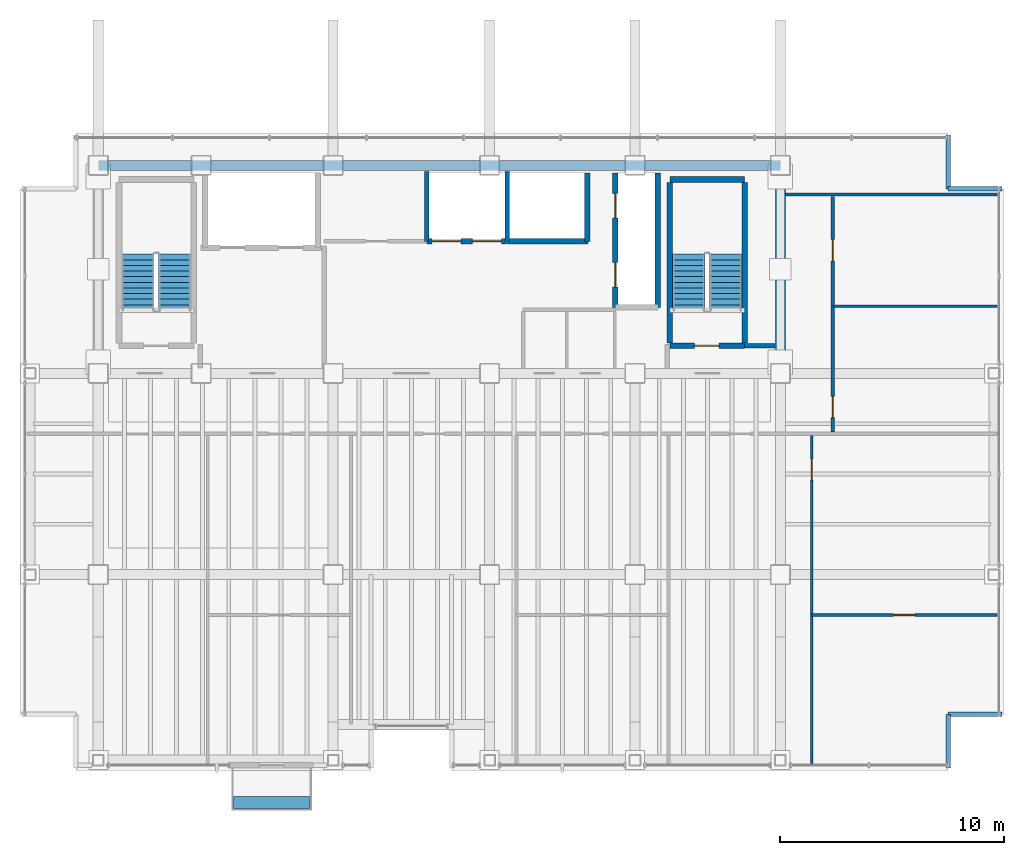
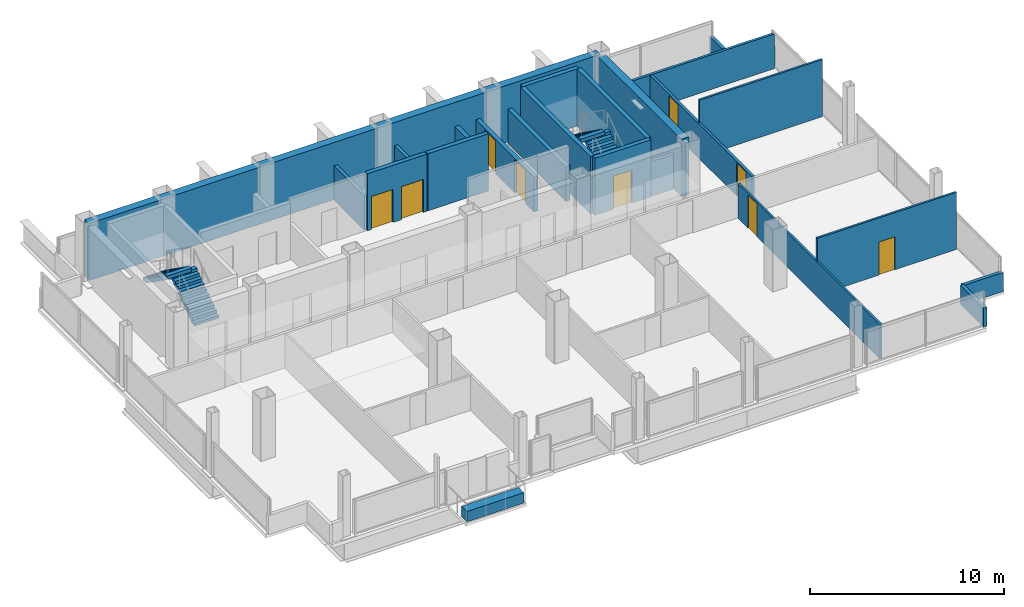
# One storey, part 16 of 17: 23 walls, 9 doors, 4 stair flights, 1 discrete accessory, 9 openings, 2 elements without a shape of their own.
"""IFC4 building model written with IfcOpenShell, lengths in metres."""

from ifc_helpers import new_model, si_unit, direction, frame, frame_2d, origin, origin_2d, place, context, subcontext, project, spatial, polyline, rectangle, outline, extrude, material, layer, layer_set, type_object, element, fill, aggregate, save


model = new_model("IFC4")

# Units and contexts
model_context = context("Model", 3, precision=1e-05, world=origin(), true_north=direction((0.0, 1.0)))
body_context = subcontext(model_context, "Body", "Model", "MODEL_VIEW")
ifc_project = project(units=[si_unit("LENGTHUNIT", "METRE"), si_unit("AREAUNIT", "SQUARE_METRE"), si_unit("VOLUMEUNIT", "CUBIC_METRE"), si_unit("PLANEANGLEUNIT", "RADIAN"), si_unit("MASSUNIT", "GRAM", prefix="KILO")], contexts=[model_context])

# Site, building, storey
site_placement = place(None, origin())
site = spatial("IfcSite", under=ifc_project, at=site_placement, CompositionType="ELEMENT")
building_placement = place(site_placement, origin())
building = spatial("IfcBuilding", under=site, at=building_placement, Name="Noeulbin Bourse Tower", CompositionType="ELEMENT")
storey_placement = place(building_placement, frame((0.0, 0.0, 196.800048828125)))
storey = spatial("IfcBuildingStorey", under=building, at=storey_placement, Name="L49", CompositionType="ELEMENT", Elevation=196.800048828125)

# Walls
ifc_material_1 = material(Name="Concrete C50/60", Category="concrete")
ifc_layer_1 = layer(ifc_material_1, 0.449951171875)
ifc_layer_set_1 = layer_set([ifc_layer_1], Name="Concrete C50/60")
wall_type_1 = type_object("IfcWallType", Name="WAL-CORE-450", PredefinedType="SHEAR", material=ifc_layer_set_1)
wall_1_placement = place(storey_placement, frame((13.5, 38.300048828125, 0.0), z_axis=(0.0, 0.0, 1.0), x_axis=(1.0, 0.0, 0.0)))
element("IfcWall", 1, at=wall_1_placement, inside=storey, type_object=wall_type_1, Name="Rear Core North Shear Wall L49", PredefinedType="SHEAR", context=body_context, shape_type="SweptSolid", body=[
    extrude(rectangle(XDim=30.5, YDim=0.449951171875, at=frame_2d((15.25, 0.0))), origin(), (0.0, 0.0, 1.0), 3.599853515625),
])
wall_2_placement = place(storey_placement, frame((44.0, 29.35009765625, 0.0), z_axis=(0.0, 0.0, 1.0), x_axis=(0.0, 1.0, 0.0)))
element("IfcWall", 2, at=wall_2_placement, inside=storey, type_object=wall_type_1, Name="Rear Core East Shear Wall L49", PredefinedType="SHEAR", context=body_context, shape_type="SweptSolid", body=[
    extrude(rectangle(XDim=8.599853515625, YDim=0.449951171875, at=frame_2d((4.2998046875, 0.0))), origin(), (0.0, 0.0, 1.0), 3.599853515625),
])
ifc_material_2 = material(Name="Concrete C40/50", Category="concrete")
ifc_layer_2 = layer(ifc_material_2, 0.199951171875)
ifc_layer_set_2 = layer_set([ifc_layer_2], Name="Concrete C40/50")
wall_type_2 = type_object("IfcWallType", Name="WAL-FIRE-200", PredefinedType="STANDARD", material=ifc_layer_set_2)
wall_3_placement = place(storey_placement, frame((42.39990234375, 30.239990234375, 0.0), z_axis=(0.0, 0.0, 1.0), x_axis=(1.0, 0.0, 0.0)))
element("IfcWall", 3, at=wall_3_placement, inside=storey, type_object=wall_type_2, Name="Interior Partition Wall L49-01", PredefinedType="STANDARD", context=body_context, shape_type="SweptSolid", body=[
    extrude(rectangle(XDim=1.364990234375, YDim=0.199951171875, at=frame_2d((0.6826171875, 0.0))), origin(), (0.0, 0.0, 1.0), 2.179931640625),
])
ifc_layer_3 = layer(ifc_material_2, 0.199951171875)
ifc_layer_set_3 = layer_set([ifc_layer_3], Name="Concrete C40/50")
wall_type_3 = type_object("IfcWallType", Name="WAL-PAR-200", PredefinedType="PARAPET", material=ifc_layer_set_3)
for number, where, z_axis, x_axis, name in (
    (4, (51.5, 11.35009765625, 0.0), (0.0, 0.0, 1.0), (0.0, 1.0, 0.0), "Corner Notch Parapet L49-SE1"),
    (5, (51.5, 13.75, 0.0), (0.0, 0.0, 1.0), (1.0, 0.0, 0.0), "Corner Notch Parapet L49-SE2"),
    (6, (51.5, 39.64990234375, 0.0), (0.0, 0.0, 1.0), (0.0, -1.0, 0.0), "Corner Notch Parapet L49-NE1"),
    (7, (51.5, 37.25, 0.0), (0.0, 0.0, 1.0), (1.0, 0.0, 0.0), "Corner Notch Parapet L49-NE2"),
):
    element("IfcWall", number, at=place(storey_placement, frame(where, z_axis=z_axis, x_axis=x_axis)), inside=storey, type_object=wall_type_3, Name=name, PredefinedType="PARAPET", context=body_context, shape_type="SweptSolid", body=[
        extrude(rectangle(XDim=2.39990234375, YDim=0.199951171875, at=frame_2d((1.199951171875, 0.0))), origin(), (0.0, 0.0, 1.0), 1.199951171875),
    ])

# Wall, opening, door
ifc_material_3 = material(Name="Steel Stud Gypsum Partition", Category="steel")
ifc_layer_4 = layer(ifc_material_3, 0.1201171875)
ifc_layer_set_4 = layer_set([ifc_layer_4], Name="Steel Stud Gypsum Partition")
wall_type_4 = type_object("IfcWallType", Name="WAL-PRT-120", PredefinedType="PARTITIONING", material=ifc_layer_set_4)
wall_4_placement = place(storey_placement, frame((45.39990234375, 18.193115234375, 0.0), z_axis=(0.0, 0.0, 1.0), x_axis=(1.0, 0.0, 0.0)))
wall_4 = element("IfcWall", 8, at=wall_4_placement, inside=storey, type_object=wall_type_4, Name="Interior Partition Wall L49-08", PredefinedType="PARTITIONING", context=body_context, shape_type="SweptSolid", body=[
    extrude(rectangle(XDim=8.2900390625, YDim=0.1201171875, at=frame_2d((4.14501953125, 0.0))), origin(), (0.0, 0.0, 1.0), 3.599853515625),
])
opening_1_placement = place(wall_4_placement, frame((3.669921875, 0.0, 0.0)))
opening_1 = element("IfcOpeningElement", 9, at=opening_1_placement, cuts=wall_4, Name="Opening ID-09", PredefinedType="OPENING", context=body_context, shape_type="SweptSolid", body=[
    extrude(rectangle(XDim=0.949951171875, YDim=2.080078125, at=frame_2d((0.47509765625, 1.0400390625))), frame((0.0, 0.070068359375, 0.0), z_axis=(0.0, -1.0, 0.0), x_axis=(1.0, 0.0, 0.0)), (0.0, 0.0, 1.0), 0.14013671875),
])
ifc_material_4 = material(Name="Acoustic Solid-Core Timber", Category="wood")
door_type_1 = type_object("IfcDoorType", Name="DR-SINGLE-950", OperationType="SINGLE_SWING_LEFT", PredefinedType="DOOR", material=ifc_material_4)
door_1_placement = place(opening_1_placement, origin())
door_1 = element("IfcDoor", 10, at=door_1_placement, inside=storey, type_object=door_type_1, Name="Interior Door L49-15", OperationType="SINGLE_SWING_LEFT", OverallHeight=2.080078125, OverallWidth=0.949951171875, PredefinedType="DOOR", context=body_context, shape_type="SweptSolid", body=[
    extrude(rectangle(XDim=0.949951171875, YDim=2.080078125, at=frame_2d((0.47509765625, 1.0400390625))), frame((0.0, 0.02490234375, 0.0), z_axis=(0.0, -1.0, 0.0), x_axis=(1.0, 0.0, 0.0)), (0.0, 0.0, 1.0), 0.050048828125),
])
fill(opening_1, door_1)

# Wall
wall_5_placement = place(storey_placement, frame((46.35009765625, 32.0, 0.0), z_axis=(0.0, 0.0, 1.0), x_axis=(1.0, 0.0, 0.0)))
element("IfcWall", 11, at=wall_5_placement, inside=storey, type_object=wall_type_4, Name="Interior Partition Wall L49-09", PredefinedType="PARTITIONING", context=body_context, shape_type="SweptSolid", body=[
    extrude(rectangle(XDim=7.33984375, YDim=0.1201171875, at=frame_2d((3.669921875, 0.0))), origin(), (0.0, 0.0, 1.0), 3.599853515625),
])

# Wall, opening, door
wall_6_placement = place(storey_placement, frame((45.39990234375, 11.56005859375, 0.0), z_axis=(0.0, 0.0, 1.0), x_axis=(0.0, 1.0, 0.0)))
wall_6 = element("IfcWall", 12, at=wall_6_placement, inside=storey, type_object=wall_type_4, Name="Interior Partition Wall L49-21", PredefinedType="PARTITIONING", context=body_context, shape_type="SweptSolid", body=[
    extrude(rectangle(XDim=14.655029296875, YDim=0.1201171875, at=frame_2d((7.32763671875, 0.0))), origin(), (0.0, 0.0, 1.0), 2.179931640625),
])
opening_2_placement = place(wall_6_placement, frame((12.6650390625, 0.0, 0.0)))
opening_2 = element("IfcOpeningElement", 13, at=opening_2_placement, cuts=wall_6, Name="Opening ID-09", PredefinedType="OPENING", context=body_context, shape_type="SweptSolid", body=[
    extrude(rectangle(XDim=0.949951171875, YDim=2.080078125, at=frame_2d((0.47509765625, 1.0400390625))), frame((0.0, 0.070068359375, 0.0), z_axis=(0.0, -1.0, 0.0), x_axis=(1.0, 0.0, 0.0)), (0.0, 0.0, 1.0), 0.14013671875),
])
door_2_placement = place(opening_2_placement, origin())
door_2 = element("IfcDoor", 14, at=door_2_placement, inside=storey, type_object=door_type_1, Name="Interior Door L49-16", OperationType="SINGLE_SWING_RIGHT", OverallHeight=2.080078125, OverallWidth=0.949951171875, PredefinedType="DOOR", context=body_context, shape_type="SweptSolid", body=[
    extrude(rectangle(XDim=0.949951171875, YDim=2.080078125, at=frame_2d((0.47509765625, 1.0400390625))), frame((0.0, 0.02490234375, 0.0), z_axis=(0.0, -1.0, 0.0), x_axis=(1.0, 0.0, 0.0)), (0.0, 0.0, 1.0), 0.050048828125),
])
fill(opening_2, door_2)

# Wall
ifc_material_5 = material(Name="Steel Stud Acoustic Gypsum Board", Category="steel")
ifc_layer_5 = layer(ifc_material_5, 0.14990234375)
ifc_layer_set_5 = layer_set([ifc_layer_5], Name="Steel Stud Acoustic Gypsum Board")
wall_type_5 = type_object("IfcWallType", Name="WAL-PRT-150", PredefinedType="PARTITIONING", material=ifc_layer_set_5)
wall_7_placement = place(storey_placement, frame((44.235107421875, 37.0, 0.0), z_axis=(0.0, 0.0, 1.0), x_axis=(1.0, 0.0, 0.0)))
element("IfcWall", 15, at=wall_7_placement, inside=storey, type_object=wall_type_5, Name="Interior Partition Wall L49-05", PredefinedType="PARTITIONING", context=body_context, shape_type="SweptSolid", body=[
    extrude(rectangle(XDim=9.454833984375, YDim=0.14990234375, at=frame_2d((4.7275390625, 0.0))), origin(), (0.0, 0.0, 1.0), 2.179931640625),
])

# Wall, openings, doors
wall_8_placement = place(storey_placement, frame((46.35009765625, 26.385009765625, 0.0), z_axis=(0.0, 0.0, 1.0), x_axis=(0.0, 1.0, 0.0)))
wall_8 = element("IfcWall", 16, at=wall_8_placement, inside=storey, type_object=wall_type_5, Name="Interior Partition Wall L49-16", PredefinedType="PARTITIONING", context=body_context, shape_type="SweptSolid", body=[
    extrude(rectangle(XDim=10.530029296875, YDim=0.14990234375, at=frame_2d((5.26513671875, 0.0))), origin(), (0.0, 0.0, 1.0), 2.179931640625),
])
opening_3_placement = place(wall_8_placement, frame((0.639892578125, 0.0, 0.0)))
opening_3 = element("IfcOpeningElement", 17, at=opening_3_placement, cuts=wall_8, Name="Opening ID-09", PredefinedType="OPENING", context=body_context, shape_type="SweptSolid", body=[
    extrude(rectangle(XDim=0.949951171875, YDim=2.080078125, at=frame_2d((0.47509765625, 1.0400390625))), frame((0.0, 0.0849609375, 0.0), z_axis=(0.0, -1.0, 0.0), x_axis=(1.0, 0.0, 0.0)), (0.0, 0.0, 1.0), 0.169921875),
])
opening_4_placement = place(wall_8_placement, frame((7.639892578125, 0.0, 0.0)))
opening_4 = element("IfcOpeningElement", 18, at=opening_4_placement, cuts=wall_8, Name="Opening ID-09", PredefinedType="OPENING", context=body_context, shape_type="SweptSolid", body=[
    extrude(rectangle(XDim=0.949951171875, YDim=2.080078125, at=frame_2d((0.47509765625, 1.0400390625))), frame((0.0, 0.0849609375, 0.0), z_axis=(0.0, -1.0, 0.0), x_axis=(1.0, 0.0, 0.0)), (0.0, 0.0, 1.0), 0.169921875),
])
door_3_placement = place(opening_3_placement, origin())
door_3 = element("IfcDoor", 19, at=door_3_placement, inside=storey, type_object=door_type_1, Name="Interior Door L49-17", OperationType="SINGLE_SWING_LEFT", OverallHeight=2.080078125, OverallWidth=0.949951171875, PredefinedType="DOOR", context=body_context, shape_type="SweptSolid", body=[
    extrude(rectangle(XDim=0.949951171875, YDim=2.080078125, at=frame_2d((0.47509765625, 1.0400390625))), frame((0.0, 0.02490234375, 0.0), z_axis=(0.0, -1.0, 0.0), x_axis=(1.0, 0.0, 0.0)), (0.0, 0.0, 1.0), 0.050048828125),
])
fill(opening_3, door_3)
door_4_placement = place(opening_4_placement, origin())
door_4 = element("IfcDoor", 20, at=door_4_placement, inside=storey, type_object=door_type_1, Name="Interior Door L49-18", OperationType="SINGLE_SWING_RIGHT", OverallHeight=2.080078125, OverallWidth=0.949951171875, PredefinedType="DOOR", context=body_context, shape_type="SweptSolid", body=[
    extrude(rectangle(XDim=0.949951171875, YDim=2.080078125, at=frame_2d((0.47509765625, 1.0400390625))), frame((0.0, 0.02490234375, 0.0), z_axis=(0.0, -1.0, 0.0), x_axis=(1.0, 0.0, 0.0)), (0.0, 0.0, 1.0), 0.050048828125),
])
fill(opening_4, door_4)

# Wall, opening, door
ifc_layer_6 = layer(ifc_material_2, 0.25)
ifc_layer_set_6 = layer_set([ifc_layer_6], Name="Concrete C40/50")
wall_type_6 = type_object("IfcWallType", Name="WAL-SHFT-250", PredefinedType="STANDARD", material=ifc_layer_set_6)
wall_9_placement = place(storey_placement, frame((39.06005859375, 30.235107421875, 0.0), z_axis=(0.0, 0.0, 1.0), x_axis=(1.0, 0.0, 0.0)))
wall_9 = element("IfcWall", 21, at=wall_9_placement, inside=storey, type_object=wall_type_6, Name="Stair ST-2 South Shaft Wall L49", PredefinedType="STANDARD", context=body_context, shape_type="SweptSolid", body=[
    extrude(rectangle(XDim=3.33984375, YDim=0.25, at=frame_2d((1.669921875, 0.0))), origin(), (0.0, 0.0, 1.0), 3.599853515625),
])
opening_5_placement = place(wall_9_placement, frame((1.10009765625, 0.0, 0.0)))
opening_5 = element("IfcOpeningElement", 22, at=opening_5_placement, cuts=wall_9, Name="Opening FD-11", PredefinedType="OPENING", context=body_context, shape_type="SweptSolid", body=[
    extrude(rectangle(XDim=1.10009765625, YDim=2.080078125, at=frame_2d((0.550048828125, 1.0400390625))), frame((0.0, 0.135009765625, 0.0), z_axis=(0.0, -1.0, 0.0), x_axis=(1.0, 0.0, 0.0)), (0.0, 0.0, 1.0), 0.27001953125),
])
ifc_material_6 = material(Name="Fire-Rated Insulated Steel", Category="steel")
door_type_2 = type_object("IfcDoorType", Name="DR-FD60-1100", OperationType="SINGLE_SWING_LEFT", PredefinedType="DOOR", material=ifc_material_6)
door_5_placement = place(opening_5_placement, origin())
door_5 = element("IfcDoor", 23, at=door_5_placement, inside=storey, type_object=door_type_2, Name="Protected Stair Entry Door ST2-L49", OperationType="SINGLE_SWING_RIGHT", OverallHeight=2.080078125, OverallWidth=1.10009765625, PredefinedType="DOOR", context=body_context, shape_type="SweptSolid", body=[
    extrude(rectangle(XDim=1.10009765625, YDim=2.080078125, at=frame_2d((0.550048828125, 1.0400390625))), frame((0.0, 0.02490234375, 0.0), z_axis=(0.0, -1.0, 0.0), x_axis=(1.0, 0.0, 0.0)), (0.0, 0.0, 1.0), 0.050048828125),
])
fill(opening_5, door_5)

# Walls
wall_10_placement = place(storey_placement, frame((39.06005859375, 37.6689453125, 0.0), z_axis=(0.0, 0.0, 1.0), x_axis=(1.0, 0.0, 0.0)))
element("IfcWall", 24, at=wall_10_placement, inside=storey, type_object=wall_type_6, Name="Stair ST-2 North Shaft Wall L49", PredefinedType="STANDARD", context=body_context, shape_type="SweptSolid", body=[
    extrude(rectangle(XDim=3.33984375, YDim=0.25, at=frame_2d((1.669921875, 0.0))), origin(), (0.0, 0.0, 1.0), 3.599853515625),
])
for number, where, z_axis, x_axis, name in (
    (25, (39.054931640625, 30.360107421875, 0.0), (0.0, 0.0, 1.0), (0.0, 1.0, 0.0), "Stair ST-2 West Shaft Wall L49"),
    (26, (42.405029296875, 30.360107421875, 0.0), (0.0, 0.0, 1.0), (0.0, 1.0, 0.0), "Stair ST-2 East Shaft Wall L49"),
):
    element("IfcWall", number, at=place(storey_placement, frame(where, z_axis=z_axis, x_axis=x_axis)), inside=storey, type_object=wall_type_6, Name=name, PredefinedType="STANDARD", context=body_context, shape_type="SweptSolid", body=[
        extrude(rectangle(XDim=7.183837890625, YDim=0.25, at=frame_2d((3.591796875, 0.0))), origin(), (0.0, 0.0, 1.0), 3.599853515625),
    ])

# Wall, openings, doors
wall_11_placement = place(storey_placement, frame((36.6201171875, 31.949951171875, 0.0), z_axis=(0.0, 0.0, 1.0), x_axis=(0.0, 1.0, 0.0)))
wall_11 = element("IfcWall", 27, at=wall_11_placement, inside=storey, type_object=wall_type_6, Name="Service Lift Shaft Wall L49", PredefinedType="STANDARD", context=body_context, shape_type="SweptSolid", body=[
    extrude(rectangle(XDim=6.0, YDim=0.25, at=frame_2d((3.0, 0.0))), origin(), (0.0, 0.0, 1.0), 2.179931640625),
])
opening_6_placement = place(wall_11_placement, frame((0.89990234375, 0.0, 0.0)))
opening_6 = element("IfcOpeningElement", 28, at=opening_6_placement, cuts=wall_11, Name="Opening LD-11", PredefinedType="OPENING", context=body_context, shape_type="SweptSolid", body=[
    extrude(rectangle(XDim=1.10009765625, YDim=2.080078125, at=frame_2d((0.550048828125, 1.0400390625))), frame((0.0, 0.135009765625, 0.0), z_axis=(0.0, -1.0, 0.0), x_axis=(1.0, 0.0, 0.0)), (0.0, 0.0, 1.0), 0.27001953125),
])
opening_7_placement = place(wall_11_placement, frame((4.0, 0.0, 0.0)))
opening_7 = element("IfcOpeningElement", 29, at=opening_7_placement, cuts=wall_11, Name="Opening LD-11", PredefinedType="OPENING", context=body_context, shape_type="SweptSolid", body=[
    extrude(rectangle(XDim=1.10009765625, YDim=2.080078125, at=frame_2d((0.550048828125, 1.0400390625))), frame((0.0, 0.135009765625, 0.0), z_axis=(0.0, -1.0, 0.0), x_axis=(1.0, 0.0, 0.0)), (0.0, 0.0, 1.0), 0.27001953125),
])
ifc_material_7 = material(Name="Brushed Stainless Steel 316", Category="steel")
door_type_3 = type_object("IfcDoorType", Name="DR-LIFT-1100", OperationType="SLIDING_TO_LEFT", PredefinedType="DOOR", material=ifc_material_7)
door_6_placement = place(opening_6_placement, origin())
door_6 = element("IfcDoor", 30, at=door_6_placement, inside=storey, type_object=door_type_3, Name="Lift Landing Door LD-EL-01-L49", OperationType="SLIDING_TO_LEFT", OverallHeight=2.080078125, OverallWidth=1.10009765625, PredefinedType="DOOR", context=body_context, shape_type="SweptSolid", body=[
    extrude(rectangle(XDim=1.10009765625, YDim=2.080078125, at=frame_2d((0.550048828125, 1.0400390625))), frame((0.0, 0.02490234375, 0.0), z_axis=(0.0, -1.0, 0.0), x_axis=(1.0, 0.0, 0.0)), (0.0, 0.0, 1.0), 0.050048828125),
])
fill(opening_6, door_6)
door_7_placement = place(opening_7_placement, origin())
door_7 = element("IfcDoor", 31, at=door_7_placement, inside=storey, type_object=door_type_3, Name="Lift Landing Door LD-SV-01-L49", OperationType="SLIDING_TO_LEFT", OverallHeight=2.080078125, OverallWidth=1.10009765625, PredefinedType="DOOR", context=body_context, shape_type="SweptSolid", body=[
    extrude(rectangle(XDim=1.10009765625, YDim=2.080078125, at=frame_2d((0.550048828125, 1.0400390625))), frame((0.0, 0.02490234375, 0.0), z_axis=(0.0, -1.0, 0.0), x_axis=(1.0, 0.0, 0.0)), (0.0, 0.0, 1.0), 0.050048828125),
])
fill(opening_7, door_7)

# Walls
wall_12_placement = place(storey_placement, frame((38.52001953125, 31.949951171875, 0.0), z_axis=(0.0, 0.0, 1.0), x_axis=(0.0, 1.0, 0.0)))
element("IfcWall", 32, at=wall_12_placement, inside=storey, type_object=wall_type_6, Name="Service Lift East Shaft Wall L49", PredefinedType="STANDARD", context=body_context, shape_type="SweptSolid", body=[
    extrude(rectangle(XDim=6.0, YDim=0.25, at=frame_2d((3.0, 0.0))), origin(), (0.0, 0.0, 1.0), 2.179931640625),
])
wall_13_placement = place(storey_placement, frame((35.360107421875, 34.89990234375, 0.0), z_axis=(0.0, 0.0, 1.0), x_axis=(0.0, 1.0, 0.0)))
element("IfcWall", 33, at=wall_13_placement, inside=storey, type_object=wall_type_6, Name="High-Rise Lift East Shaft Wall L49", PredefinedType="STANDARD", context=body_context, shape_type="SweptSolid", body=[
    extrude(rectangle(XDim=3.050048828125, YDim=0.25, at=frame_2d((1.52490234375, 0.0))), origin(), (0.0, 0.0, 1.0), 2.179931640625),
])

# Wall, openings, doors
wall_14_placement = place(storey_placement, frame((28.199951171875, 34.89990234375, 0.0), z_axis=(0.0, 0.0, 1.0), x_axis=(1.0, 0.0, 0.0)))
wall_14 = element("IfcWall", 34, at=wall_14_placement, inside=storey, type_object=wall_type_6, Name="Mid-Rise Lift Bank Front L49", PredefinedType="STANDARD", context=body_context, shape_type="SweptSolid", body=[
    extrude(rectangle(XDim=3.550048828125, YDim=0.25, at=frame_2d((1.77490234375, 0.0))), origin(), (0.0, 0.0, 1.0), 3.599853515625),
])
opening_8_placement = place(wall_14_placement, frame((0.22998046875, 0.0, 0.0)))
opening_8 = element("IfcOpeningElement", 35, at=opening_8_placement, cuts=wall_14, Name="Opening LD-13", PredefinedType="OPENING", context=body_context, shape_type="SweptSolid", body=[
    extrude(rectangle(XDim=1.300048828125, YDim=2.080078125, at=frame_2d((0.64990234375, 1.0400390625))), frame((0.0, 0.135009765625, 0.0), z_axis=(0.0, -1.0, 0.0), x_axis=(1.0, 0.0, 0.0)), (0.0, 0.0, 1.0), 0.27001953125),
])
opening_9_placement = place(wall_14_placement, frame((2.030029296875, 0.0, 0.0)))
opening_9 = element("IfcOpeningElement", 36, at=opening_9_placement, cuts=wall_14, Name="Opening LD-13", PredefinedType="OPENING", context=body_context, shape_type="SweptSolid", body=[
    extrude(rectangle(XDim=1.300048828125, YDim=2.080078125, at=frame_2d((0.64990234375, 1.0400390625))), frame((0.0, 0.135009765625, 0.0), z_axis=(0.0, -1.0, 0.0), x_axis=(1.0, 0.0, 0.0)), (0.0, 0.0, 1.0), 0.27001953125),
])
door_type_4 = type_object("IfcDoorType", Name="DR-LIFT-1300", OperationType="DOUBLE_DOOR_SLIDING", PredefinedType="DOOR", material=ifc_material_7)
door_8_placement = place(opening_8_placement, origin())
door_8 = element("IfcDoor", 37, at=door_8_placement, inside=storey, type_object=door_type_4, Name="Lift Landing Door LD-PL-M1-L49", OperationType="DOUBLE_DOOR_SLIDING", OverallHeight=2.080078125, OverallWidth=1.300048828125, PredefinedType="DOOR", context=body_context, shape_type="SweptSolid", body=[
    extrude(rectangle(XDim=1.300048828125, YDim=2.080078125, at=frame_2d((0.64990234375, 1.0400390625))), frame((0.0, 0.02490234375, 0.0), z_axis=(0.0, -1.0, 0.0), x_axis=(1.0, 0.0, 0.0)), (0.0, 0.0, 1.0), 0.050048828125),
])
fill(opening_8, door_8)
door_9_placement = place(opening_9_placement, origin())
door_9 = element("IfcDoor", 38, at=door_9_placement, inside=storey, type_object=door_type_4, Name="Lift Landing Door LD-PL-M2-L49", OperationType="DOUBLE_DOOR_SLIDING", OverallHeight=2.080078125, OverallWidth=1.300048828125, PredefinedType="DOOR", context=body_context, shape_type="SweptSolid", body=[
    extrude(rectangle(XDim=1.300048828125, YDim=2.080078125, at=frame_2d((0.64990234375, 1.0400390625))), frame((0.0, 0.02490234375, 0.0), z_axis=(0.0, -1.0, 0.0), x_axis=(1.0, 0.0, 0.0)), (0.0, 0.0, 1.0), 0.050048828125),
])
fill(opening_9, door_9)

# Walls
wall_15_placement = place(storey_placement, frame((31.800048828125, 34.89990234375, 0.0), z_axis=(0.0, 0.0, 1.0), x_axis=(1.0, 0.0, 0.0)))
element("IfcWall", 39, at=wall_15_placement, inside=storey, type_object=wall_type_6, Name="High-Rise Lift Bank Front L49", PredefinedType="STANDARD", context=body_context, shape_type="SweptSolid", body=[
    extrude(rectangle(XDim=3.599853515625, YDim=0.25, at=frame_2d((1.7998046875, 0.0))), origin(), (0.0, 0.0, 1.0), 3.599853515625),
])
for number, where, z_axis, x_axis, name in (
    (40, (28.179931640625, 34.89990234375, 0.0), (0.0, 0.0, 1.0), (0.0, 1.0, 0.0), "Hoistway Side Shaft Wall L49-PLMW"),
    (41, (31.780029296875, 34.89990234375, 0.0), (0.0, 0.0, 1.0), (0.0, 1.0, 0.0), "Hoistway Side Shaft Wall L49-PLHW"),
):
    element("IfcWall", number, at=place(storey_placement, frame(where, z_axis=z_axis, x_axis=x_axis)), inside=storey, type_object=wall_type_6, Name=name, PredefinedType="STANDARD", context=body_context, shape_type="SweptSolid", body=[
        extrude(rectangle(XDim=3.1201171875, YDim=0.199951171875, at=frame_2d((1.56005859375, 0.0))), origin(), (0.0, 0.0, 1.0), 2.179931640625),
    ])

# Stair, stair flights
stair_type = type_object("IfcStairType", Name="STR-CORE-1560", PredefinedType="HALF_TURN_STAIR", material=ifc_material_2)
stair_1_placement = place(storey_placement, origin())
stair_1 = element("IfcStair", 42, at=stair_1_placement, inside=storey, type_object=stair_type, Name="L49 ST-1", PredefinedType="HALF_TURN_STAIR")
stair_flight_type = type_object("IfcStairFlightType", Name="SFL-CORE-1560", PredefinedType="STRAIGHT", material=ifc_material_2)
stair_flight_1_placement = place(storey_placement, frame((16.925048828125, 31.81005859375, 0.0), z_axis=(0.0, 0.0, 1.0), x_axis=(0.0, 1.0, 0.0)))
stair_flight_1 = element("IfcStairFlight", 43, at=stair_flight_1_placement, type_object=stair_flight_type, Name="ST-1 flight 1", NumberOfRisers=11, NumberOfTreads=10, PredefinedType="STRAIGHT", RiserHeight=0.177272727, TreadLength=0.252, context=body_context, shape_type="SweptSolid", body=[
    extrude(outline(polyline([(0.0, 0.0), (0.0, 0.17724609375), (0.251953125, 0.17724609375), (0.251953125, 0.3544921875), (0.50390625, 0.3544921875), (0.50390625, 0.53173828125), (0.756103515625, 0.53173828125), (0.756103515625, 0.708984375), (1.008056640625, 0.708984375), (1.008056640625, 0.886474609375), (1.260009765625, 0.886474609375), (1.260009765625, 1.063720703125), (1.511962890625, 1.063720703125), (1.511962890625, 1.240966796875), (1.763916015625, 1.240966796875), (1.763916015625, 1.418212890625), (2.01611328125, 1.418212890625), (2.01611328125, 1.595458984375), (2.26806640625, 1.595458984375), (2.26806640625, 1.772705078125), (2.52001953125, 1.772705078125), (2.52001953125, 1.949951171875), (2.52001953125, 1.552734375), (0.312744140625, 0.0), (0.0, 0.0)])), frame((0.0, 0.72509765625, 0.0), z_axis=(0.0, -1.0, 0.0), x_axis=(1.0, 0.0, 0.0)), (0.0, 0.0, 1.0), 1.449951171875),
])
stair_flight_2_placement = place(storey_placement, frame((15.27490234375, 34.330078125, 1.949951171875), z_axis=(0.0, 0.0, 1.0), x_axis=(0.0, -1.0, 0.0)))
stair_flight_2 = element("IfcStairFlight", 44, at=stair_flight_2_placement, type_object=stair_flight_type, Name="ST-1 flight 2", NumberOfRisers=11, NumberOfTreads=10, PredefinedType="STRAIGHT", RiserHeight=0.177272727, TreadLength=0.252, context=body_context, shape_type="SweptSolid", body=[
    extrude(outline(polyline([(0.0, 0.0), (0.0, 0.17724609375), (0.251953125, 0.17724609375), (0.251953125, 0.3544921875), (0.50390625, 0.3544921875), (0.50390625, 0.53173828125), (0.756103515625, 0.53173828125), (0.756103515625, 0.708984375), (1.008056640625, 0.708984375), (1.008056640625, 0.886474609375), (1.260009765625, 0.886474609375), (1.260009765625, 1.063720703125), (1.511962890625, 1.063720703125), (1.511962890625, 1.240966796875), (1.763916015625, 1.240966796875), (1.763916015625, 1.418212890625), (2.01611328125, 1.418212890625), (2.01611328125, 1.595458984375), (2.26806640625, 1.595458984375), (2.26806640625, 1.772705078125), (2.52001953125, 1.772705078125), (2.52001953125, 1.949951171875), (2.52001953125, 1.552734375), (0.312744140625, 0.0), (0.0, 0.0)])), frame((0.0, 0.72509765625, 0.0), z_axis=(0.0, -1.0, 0.0), x_axis=(1.0, 0.0, 0.0)), (0.0, 0.0, 1.0), 1.449951171875),
])
aggregate(stair_1, [stair_flight_1, stair_flight_2])

stair_2_placement = place(storey_placement, origin())
stair_2 = element("IfcStair", 45, at=stair_2_placement, inside=storey, type_object=stair_type, Name="L49 ST-2", PredefinedType="HALF_TURN_STAIR")
stair_flight_3_placement = place(storey_placement, frame((41.554931640625, 31.81005859375, 0.0), z_axis=(0.0, 0.0, 1.0), x_axis=(0.0, 1.0, 0.0)))
stair_flight_3 = element("IfcStairFlight", 46, at=stair_flight_3_placement, type_object=stair_flight_type, Name="ST-2 flight 1", NumberOfRisers=11, NumberOfTreads=10, PredefinedType="STRAIGHT", RiserHeight=0.177272727, TreadLength=0.252, context=body_context, shape_type="SweptSolid", body=[
    extrude(outline(polyline([(0.0, 0.0), (0.0, 0.17724609375), (0.251953125, 0.17724609375), (0.251953125, 0.3544921875), (0.50390625, 0.3544921875), (0.50390625, 0.53173828125), (0.756103515625, 0.53173828125), (0.756103515625, 0.708984375), (1.008056640625, 0.708984375), (1.008056640625, 0.886474609375), (1.260009765625, 0.886474609375), (1.260009765625, 1.063720703125), (1.511962890625, 1.063720703125), (1.511962890625, 1.240966796875), (1.763916015625, 1.240966796875), (1.763916015625, 1.418212890625), (2.01611328125, 1.418212890625), (2.01611328125, 1.595458984375), (2.26806640625, 1.595458984375), (2.26806640625, 1.772705078125), (2.52001953125, 1.772705078125), (2.52001953125, 1.949951171875), (2.52001953125, 1.552734375), (0.312744140625, 0.0), (0.0, 0.0)])), frame((0.0, 0.72509765625, 0.0), z_axis=(0.0, -1.0, 0.0), x_axis=(1.0, 0.0, 0.0)), (0.0, 0.0, 1.0), 1.449951171875),
])
stair_flight_4_placement = place(storey_placement, frame((39.905029296875, 34.330078125, 1.949951171875), z_axis=(0.0, 0.0, 1.0), x_axis=(0.0, -1.0, 0.0)))
stair_flight_4 = element("IfcStairFlight", 47, at=stair_flight_4_placement, type_object=stair_flight_type, Name="ST-2 flight 2", NumberOfRisers=11, NumberOfTreads=10, PredefinedType="STRAIGHT", RiserHeight=0.177272727, TreadLength=0.252, context=body_context, shape_type="SweptSolid", body=[
    extrude(outline(polyline([(0.0, 0.0), (0.0, 0.17724609375), (0.251953125, 0.17724609375), (0.251953125, 0.3544921875), (0.50390625, 0.3544921875), (0.50390625, 0.53173828125), (0.756103515625, 0.53173828125), (0.756103515625, 0.708984375), (1.008056640625, 0.708984375), (1.008056640625, 0.886474609375), (1.260009765625, 0.886474609375), (1.260009765625, 1.063720703125), (1.511962890625, 1.063720703125), (1.511962890625, 1.240966796875), (1.763916015625, 1.240966796875), (1.763916015625, 1.418212890625), (2.01611328125, 1.418212890625), (2.01611328125, 1.595458984375), (2.26806640625, 1.595458984375), (2.26806640625, 1.772705078125), (2.52001953125, 1.772705078125), (2.52001953125, 1.949951171875), (2.52001953125, 1.552734375), (0.312744140625, 0.0), (0.0, 0.0)])), frame((0.0, 0.72509765625, 0.0), z_axis=(0.0, -1.0, 0.0), x_axis=(1.0, 0.0, 0.0)), (0.0, 0.0, 1.0), 1.449951171875),
])
aggregate(stair_2, [stair_flight_3, stair_flight_4])

# Discrete accessory
ifc_material_8 = material(Name="Architectural GFRC Concrete C40/50", Category="concrete")
ifc_layer_7 = layer(ifc_material_8, 0.64990234375)
ifc_layer_set_7 = layer_set([ifc_layer_7], Name="Architectural GFRC Concrete C40/50")
discrete_accessory_type = type_object("IfcDiscreteAccessoryType", Name="PLANTER-BOX-3600", PredefinedType="USERDEFINED", material=ifc_layer_set_7)
discrete_accessory_placement = place(storey_placement, frame((21.25, 9.81005859375, 0.0), z_axis=(0.0, 0.0, 1.0), x_axis=(1.0, 0.0, 0.0)))
element("IfcDiscreteAccessory", 48, at=discrete_accessory_placement, inside=storey, type_object=discrete_accessory_type, Name="Integrated Balcony Tree Planter Box L49", ObjectType="PLANTER", PredefinedType="USERDEFINED", context=body_context, shape_type="SweptSolid", body=[
    extrude(rectangle(XDim=3.39990234375, YDim=0.550048828125, at=origin_2d()), origin(), (0.0, 0.0, 1.0), 0.64990234375),
])

save(model, "model.ifc")
